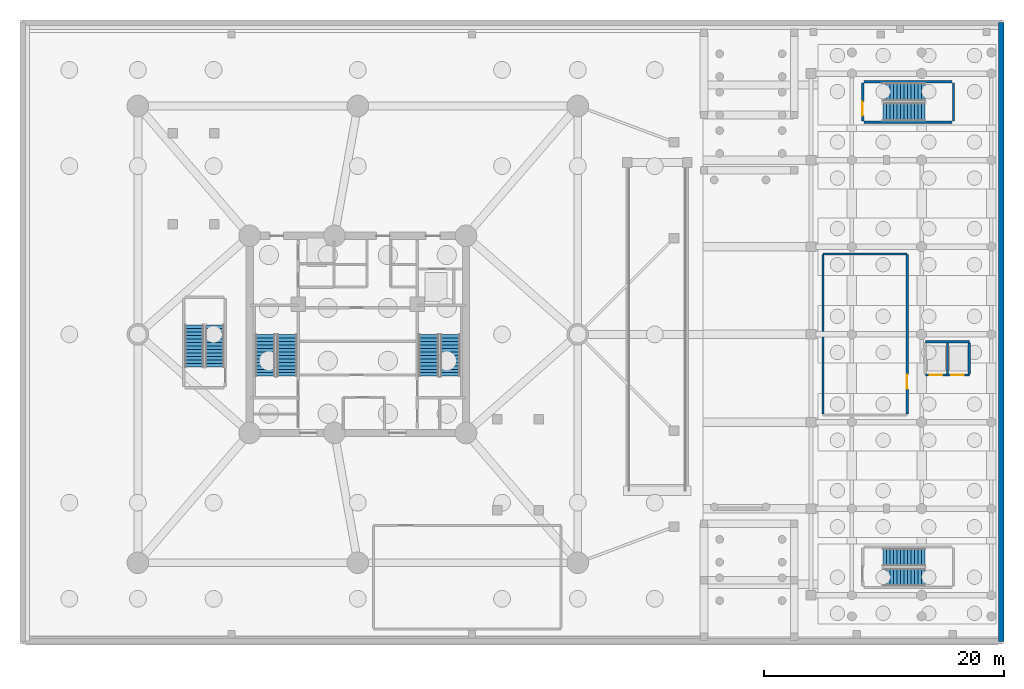
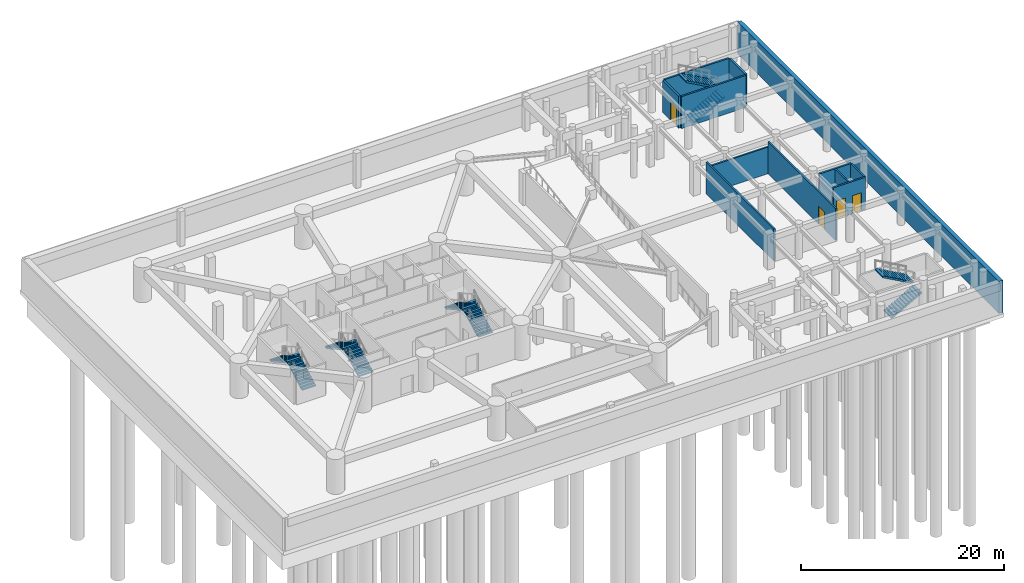
# One storey, part 8 of 13: 12 walls, 10 stair flights, 4 doors, 4 openings, 5 elements without a shape of their own.
"""IFC4 building model written with IfcOpenShell, lengths in metres."""

from ifc_helpers import new_model, si_unit, direction, frame, frame_2d, origin, origin_with_axes, place, context, subcontext, project, spatial, polyline, rectangle, outline, extrude, source, transform, mapped, material, layer, layer_set, type_object, element, fill, aggregate, save


model = new_model("IFC4")

# Units and contexts
model_context = context("Model", 3, precision=1e-05, world=origin(), true_north=direction((0.0, 1.0)))
body_context = subcontext(model_context, "Body", "Model", "MODEL_VIEW")
ifc_project = project(units=[si_unit("LENGTHUNIT", "METRE"), si_unit("AREAUNIT", "SQUARE_METRE"), si_unit("VOLUMEUNIT", "CUBIC_METRE"), si_unit("PLANEANGLEUNIT", "RADIAN"), si_unit("MASSUNIT", "GRAM", prefix="KILO")], contexts=[model_context])

# Site, building, storey
site_placement = place(None, origin())
site = spatial("IfcSite", under=ifc_project, at=site_placement, CompositionType="ELEMENT")
building_placement = place(site_placement, origin())
building = spatial("IfcBuilding", under=site, at=building_placement, Name="Karkom Vertical University and Central Library", CompositionType="ELEMENT")
storey_placement = place(building_placement, frame((0.0, 0.0, -8.39990234375)))
storey = spatial("IfcBuildingStorey", under=building, at=storey_placement, Name="B02", CompositionType="ELEMENT", Elevation=-8.39990234375)

# Walls
ifc_material_1 = material(Name="Metal-stud gypsum partition 140mm", Category="gypsum")
ifc_layer_1 = layer(ifc_material_1, 0.139892578125)
ifc_layer_set_1 = layer_set([ifc_layer_1], Name="Metal-stud gypsum partition 140mm")
wall_type_1 = type_object("IfcWallType", Name="INT-WL-SUB-140H", PredefinedType="PARTITIONING", material=ifc_layer_set_1)
wall_1_placement = place(storey_placement, frame((77.550048828125, 23.219970703125, 0.0), z_axis=(0.0, 0.0, 1.0), x_axis=(0.0, 1.0, 0.0)))
element("IfcWall", 1, at=wall_1_placement, inside=storey, type_object=wall_type_1, Name="Basement 02 Interior Partition Wall B02-W-LL-M", PredefinedType="PARTITIONING", context=body_context, shape_type="SweptSolid", body=[
    extrude(rectangle(XDim=2.56005859375, YDim=0.139892578125, at=frame_2d((1.280029296875, 0.0))), origin(), (0.0, 0.0, 1.0), 3.849853515625),
])
ifc_material_2 = material(Name="Twin-stud acoustic drywall 180mm", Category="gypsum")
ifc_layer_2 = layer(ifc_material_2, 0.179931640625)
ifc_layer_set_2 = layer_set([ifc_layer_2], Name="Twin-stud acoustic drywall 180mm")
wall_type_2 = type_object("IfcWallType", Name="INT-WL-TEN-180F", PredefinedType="PARTITIONING", material=ifc_layer_set_2)
wall_2_placement = place(storey_placement, frame((67.199951171875, 19.860107421875, 0.0), z_axis=(0.0, 0.0, 1.0), x_axis=(0.0, 1.0, 0.0)))
element("IfcWall", 2, at=wall_2_placement, inside=storey, type_object=wall_type_2, Name="Basement 02 Interior Partition Wall B02-PW-ARCL-W", PredefinedType="PARTITIONING", context=body_context, shape_type="SweptSolid", body=[
    extrude(rectangle(XDim=13.27978515625, YDim=0.179931640625, at=frame_2d((6.639892578125, 0.0))), origin(), (0.0, 0.0, 1.0), 3.849853515625),
])

# Wall, opening, door
wall_3_placement = place(storey_placement, frame((74.199951171875, 19.860107421875, 0.0), z_axis=(0.0, 0.0, 1.0), x_axis=(0.0, 1.0, 0.0)))
wall_3 = element("IfcWall", 3, at=wall_3_placement, inside=storey, type_object=wall_type_2, Name="Basement 02 Interior Partition Wall B02-PW-ARCL-E", PredefinedType="PARTITIONING", context=body_context, shape_type="SweptSolid", body=[
    extrude(rectangle(XDim=13.27978515625, YDim=0.179931640625, at=frame_2d((6.639892578125, 0.0))), origin(), (0.0, 0.0, 1.0), 3.849853515625),
])
opening_1_placement = place(wall_3_placement, frame((2.10009765625, 0.0, 0.0)))
opening_1 = element("IfcOpeningElement", 4, at=opening_1_placement, cuts=wall_3, Name="Opening FD-SUB1", PredefinedType="OPENING", context=body_context, shape_type="SweptSolid", body=[
    extrude(rectangle(XDim=1.199951171875, YDim=2.14990234375, at=frame_2d((0.60009765625, 1.074951171875))), frame((0.0, 0.10009765625, 0.0), z_axis=(0.0, -1.0, 0.0), x_axis=(1.0, 0.0, 0.0)), (0.0, 0.0, 1.0), 0.199951171875),
])
ifc_material_3 = material(Name="Painted steel fire door", Category="steel")
door_type_1 = type_object("IfcDoorType", Name="INT-DR-SUB1", OperationType="NOTDEFINED", PredefinedType="DOOR", material=ifc_material_3)
shared_shape_1 = source(origin_with_axes(), body_context, "Body", "SweptSolid", [
    extrude(rectangle(XDim=1.199951171875, YDim=2.14990234375, at=frame_2d((0.60009765625, 1.074951171875))), frame((0.0, 0.02490234375, 0.0), z_axis=(0.0, -1.0, 0.0), x_axis=(1.0, 0.0, 0.0)), (0.0, 0.0, 1.0), 0.050048828125),
])
door_1_placement = place(opening_1_placement, origin())
door_1 = element("IfcDoor", 5, at=door_1_placement, inside=storey, type_object=door_type_1, Name="Basement 02 Compact Mobile Library Archive Vault Door", OperationType="SINGLE_SWING_LEFT", OverallHeight=2.14990234375, OverallWidth=1.199951171875, PredefinedType="DOOR", context=body_context, shape_type="MappedRepresentation", body=[
    mapped(shared_shape_1, transform((0.0, 0.0, 0.0), scale=1.0)),
])
fill(opening_1, door_1)

# Walls
wall_4_placement = place(storey_placement, frame((67.199951171875, 33.199951171875, 0.0), z_axis=(0.0, 0.0, 1.0), x_axis=(1.0, 0.0, 0.0)))
element("IfcWall", 6, at=wall_4_placement, inside=storey, type_object=wall_type_2, Name="Basement 02 Interior Partition Wall B02-PW-ARCL-N", PredefinedType="PARTITIONING", context=body_context, shape_type="SweptSolid", body=[
    extrude(rectangle(XDim=7.0, YDim=0.179931640625, at=frame_2d((3.5, 0.0))), origin(), (0.0, 0.0, 1.0), 3.199951171875),
])
ifc_material_4 = material(Name="Concrete C50/60", Category="concrete")
ifc_layer_3 = layer(ifc_material_4, 0.449951171875)
ifc_layer_set_3 = layer_set([ifc_layer_3], Name="Concrete C50/60")
wall_type_3 = type_object("IfcWallType", Name="STR-WL-RW-450", PredefinedType="USERDEFINED", material=ifc_layer_set_3)
wall_5_placement = place(storey_placement, frame((82.030029296875, 0.969970703125, 0.0), z_axis=(0.0, 0.0, 1.0), x_axis=(0.0, 1.0, 0.0)))
element("IfcWall", 7, at=wall_5_placement, inside=storey, type_object=wall_type_3, Name="Basement 02 Perimeter Retaining Wall 2", ObjectType="RETAINING WALL", PredefinedType="USERDEFINED", context=body_context, shape_type="SweptSolid", body=[
    extrude(rectangle(XDim=51.4599609375, YDim=0.449951171875, at=frame_2d((25.72998046875, 0.0))), origin(), (0.0, 0.0, 1.0), 3.849853515625),
])
ifc_material_5 = material(Name="Concrete C45/55", Category="concrete")
ifc_layer_4 = layer(ifc_material_5, 0.199951171875)
ifc_layer_set_4 = layer_set([ifc_layer_4], Name="Concrete C45/55")
wall_type_4 = type_object("IfcWallType", Name="STR-WL-ST-200", PredefinedType="SHEAR", material=ifc_layer_set_4)
for number, where, z_axis, x_axis, name in (
    (8, (70.60009765625, 44.14501953125, 0.0), (0.0, 0.0, 1.0), (1.0, 0.0, 0.0), "Basement 02 Core Shaft Wall B02-W-LST2-S"),
    (9, (70.60009765625, 47.514892578125, 0.0), (0.0, 0.0, 1.0), (1.0, 0.0, 0.0), "Basement 02 Core Shaft Wall B02-W-LST2-N"),
):
    element("IfcWall", number, at=place(storey_placement, frame(where, z_axis=z_axis, x_axis=x_axis)), inside=storey, type_object=wall_type_4, Name=name, PredefinedType="SHEAR", context=body_context, shape_type="SweptSolid", body=[
        extrude(rectangle(XDim=7.349853515625, YDim=0.199951171875, at=frame_2d((3.6748046875, 0.0))), origin(), (0.0, 0.0, 1.0), 3.849853515625),
    ])

# Wall, openings, doors
wall_6_placement = place(storey_placement, frame((75.719970703125, 23.1201171875, 0.0), z_axis=(0.0, 0.0, 1.0), x_axis=(1.0, 0.0, 0.0)))
wall_6 = element("IfcWall", 10, at=wall_6_placement, inside=storey, type_object=wall_type_4, Name="Basement 02 Core Shaft Wall B02-W-LL-S", PredefinedType="SHEAR", context=body_context, shape_type="SweptSolid", body=[
    extrude(rectangle(XDim=3.659912109375, YDim=0.199951171875, at=frame_2d((1.830078125, 0.0))), origin(), (0.0, 0.0, 1.0), 3.849853515625),
])
opening_2_placement = place(wall_6_placement, frame((0.35009765625, 0.0, 0.0)))
opening_2 = element("IfcOpeningElement", 11, at=opening_2_placement, cuts=wall_6, Name="Opening LD-LIB", PredefinedType="OPENING", context=body_context, shape_type="SweptSolid", body=[
    extrude(rectangle(XDim=1.050048828125, YDim=2.14990234375, at=frame_2d((0.52490234375, 1.074951171875))), frame((0.0, 0.10986328125, 0.0), z_axis=(0.0, -1.0, 0.0), x_axis=(1.0, 0.0, 0.0)), (0.0, 0.0, 1.0), 0.219970703125),
])
opening_3_placement = place(wall_6_placement, frame((2.14990234375, 0.0, 0.0)))
opening_3 = element("IfcOpeningElement", 12, at=opening_3_placement, cuts=wall_6, Name="Opening LD-LIB", PredefinedType="OPENING", context=body_context, shape_type="SweptSolid", body=[
    extrude(rectangle(XDim=1.050048828125, YDim=2.14990234375, at=frame_2d((0.52490234375, 1.074951171875))), frame((0.0, 0.10986328125, 0.0), z_axis=(0.0, -1.0, 0.0), x_axis=(1.0, 0.0, 0.0)), (0.0, 0.0, 1.0), 0.219970703125),
])
ifc_material_6 = material(Name="Bronze-anodised lift landing door", Category="metal")
door_type_2 = type_object("IfcDoorType", Name="INT-DR-LD-LIB", OperationType="SLIDING_TO_LEFT", PredefinedType="DOOR", material=ifc_material_6)
shared_shape_2 = source(origin_with_axes(), body_context, "Body", "SweptSolid", [
    extrude(rectangle(XDim=1.050048828125, YDim=2.14990234375, at=frame_2d((0.52490234375, 1.074951171875))), frame((0.0, 0.02490234375, 0.0), z_axis=(0.0, -1.0, 0.0), x_axis=(1.0, 0.0, 0.0)), (0.0, 0.0, 1.0), 0.050048828125),
])
door_2_placement = place(opening_2_placement, origin())
door_2 = element("IfcDoor", 13, at=door_2_placement, inside=storey, type_object=door_type_2, Name="Basement 02 Library Lift LIB-L1 Landing Door", OperationType="SLIDING_TO_LEFT", OverallHeight=2.14990234375, OverallWidth=1.050048828125, PredefinedType="DOOR", context=body_context, shape_type="MappedRepresentation", body=[
    mapped(shared_shape_2, transform((0.0, 0.0, 0.0), scale=1.0)),
])
fill(opening_2, door_2)
door_3_placement = place(opening_3_placement, origin())
door_3 = element("IfcDoor", 14, at=door_3_placement, inside=storey, type_object=door_type_2, Name="Basement 02 Library Lift LIB-L2 Landing Door", OperationType="SLIDING_TO_RIGHT", OverallHeight=2.14990234375, OverallWidth=1.050048828125, PredefinedType="DOOR", context=body_context, shape_type="MappedRepresentation", body=[
    mapped(shared_shape_2, transform((0.0, 0.0, 0.0), scale=1.0)),
])
fill(opening_3, door_3)

# Wall
wall_7_placement = place(storey_placement, frame((75.719970703125, 25.8798828125, 0.0), z_axis=(0.0, 0.0, 1.0), x_axis=(1.0, 0.0, 0.0)))
element("IfcWall", 15, at=wall_7_placement, inside=storey, type_object=wall_type_4, Name="Basement 02 Core Shaft Wall B02-W-LL-N", PredefinedType="SHEAR", context=body_context, shape_type="SweptSolid", body=[
    extrude(rectangle(XDim=3.659912109375, YDim=0.199951171875, at=frame_2d((1.830078125, 0.0))), origin(), (0.0, 0.0, 1.0), 3.849853515625),
])

# Wall, opening, door
wall_8_placement = place(storey_placement, frame((70.4951171875, 44.25, 0.0), z_axis=(0.0, 0.0, 1.0), x_axis=(0.0, 1.0, 0.0)))
wall_8 = element("IfcWall", 16, at=wall_8_placement, inside=storey, type_object=wall_type_4, Name="Basement 02 Core Shaft Wall B02-W-LST2-W", PredefinedType="SHEAR", context=body_context, shape_type="SweptSolid", body=[
    extrude(rectangle(XDim=3.159912109375, YDim=0.199951171875, at=frame_2d((1.580078125, 0.0))), origin(), (0.0, 0.0, 1.0), 3.849853515625),
])
opening_4_placement = place(wall_8_placement, frame((0.449951171875, 0.0, 0.0)))
opening_4 = element("IfcOpeningElement", 17, at=opening_4_placement, cuts=wall_8, Name="Opening FD-ST1", PredefinedType="OPENING", context=body_context, shape_type="SweptSolid", body=[
    extrude(rectangle(XDim=1.14990234375, YDim=2.14990234375, at=frame_2d((0.574951171875, 1.074951171875))), frame((0.0, 0.10986328125, 0.0), z_axis=(0.0, -1.0, 0.0), x_axis=(1.0, 0.0, 0.0)), (0.0, 0.0, 1.0), 0.219970703125),
])
ifc_material_7 = material(Name="Painted steel acoustic fire door", Category="steel")
door_type_3 = type_object("IfcDoorType", Name="INT-DR-ST1", OperationType="NOTDEFINED", PredefinedType="DOOR", material=ifc_material_7)
shared_shape_3 = source(origin_with_axes(), body_context, "Body", "SweptSolid", [
    extrude(rectangle(XDim=1.14990234375, YDim=2.14990234375, at=frame_2d((0.574951171875, 1.074951171875))), frame((0.0, 0.02490234375, 0.0), z_axis=(0.0, -1.0, 0.0), x_axis=(1.0, 0.0, 0.0)), (0.0, 0.0, 1.0), 0.050048828125),
])
door_4_placement = place(opening_4_placement, origin())
door_4 = element("IfcDoor", 18, at=door_4_placement, inside=storey, type_object=door_type_3, Name="Basement 02 Library Stair LST2 Door", OperationType="SINGLE_SWING_LEFT", OverallHeight=2.14990234375, OverallWidth=1.14990234375, PredefinedType="DOOR", context=body_context, shape_type="MappedRepresentation", body=[
    mapped(shared_shape_3, transform((0.0, 0.0, 0.0), scale=1.0)),
])
fill(opening_4, door_4)

# Walls
wall_9_placement = place(storey_placement, frame((78.054931640625, 44.25, 0.0), z_axis=(0.0, 0.0, 1.0), x_axis=(0.0, 1.0, 0.0)))
element("IfcWall", 19, at=wall_9_placement, inside=storey, type_object=wall_type_4, Name="Basement 02 Core Shaft Wall B02-W-LST2-E", PredefinedType="SHEAR", context=body_context, shape_type="SweptSolid", body=[
    extrude(rectangle(XDim=3.159912109375, YDim=0.199951171875, at=frame_2d((1.580078125, 0.0))), origin(), (0.0, 0.0, 1.0), 3.849853515625),
])
wall_10_placement = place(storey_placement, frame((79.3798828125, 23.219970703125, 0.0), z_axis=(0.0, 0.0, 1.0), x_axis=(0.0, 1.0, 0.0)))
element("IfcWall", 20, at=wall_10_placement, inside=storey, type_object=wall_type_4, Name="Basement 02 Core Shaft Wall B02-W-LL-E", PredefinedType="SHEAR", context=body_context, shape_type="SweptSolid", body=[
    extrude(rectangle(XDim=2.56005859375, YDim=0.199951171875, at=frame_2d((1.280029296875, 0.0))), origin(), (0.0, 0.0, 1.0), 3.849853515625),
])

# Stair, stair flights
stair_type_1 = type_object("IfcStairType", Name="INT-STR-ST-LIB", PredefinedType="HALF_TURN_STAIR", material=ifc_material_5)
stair_1_placement = place(storey_placement, origin())
stair_1 = element("IfcStair", 21, at=stair_1_placement, inside=storey, type_object=stair_type_1, Name="Basement 02 Central Library South Exit Stair LIB-ST1", PredefinedType="HALF_TURN_STAIR")
stair_flight_type_1 = type_object("IfcStairFlightType", Name="INT-SFL-ST-LIB", PredefinedType="STRAIGHT", material=ifc_material_5)
stair_flight_1_placement = place(storey_placement, frame((72.199951171875, 6.300048828125, 0.0), z_axis=(0.0, 0.0, 1.0), x_axis=(1.0, 0.0, 0.0)))
stair_flight_1 = element("IfcStairFlight", 22, at=stair_flight_1_placement, type_object=stair_flight_type_1, Name="LIB-ST1 flight 1", NumberOfRisers=13, NumberOfTreads=12, PredefinedType="STRAIGHT", RiserHeight=0.161538462, TreadLength=0.29, context=body_context, shape_type="SweptSolid", body=[
    extrude(outline(polyline([(0.0, 0.0), (0.0, 0.16162109375), (0.2900390625, 0.16162109375), (0.2900390625, 0.322998046875), (0.580078125, 0.322998046875), (0.580078125, 0.484619140625), (0.8701171875, 0.484619140625), (0.8701171875, 0.646240234375), (1.159912109375, 0.646240234375), (1.159912109375, 0.8076171875), (1.449951171875, 0.8076171875), (1.449951171875, 0.96923828125), (1.739990234375, 0.96923828125), (1.739990234375, 1.130859375), (2.030029296875, 1.130859375), (2.030029296875, 1.292236328125), (2.320068359375, 1.292236328125), (2.320068359375, 1.453857421875), (2.610107421875, 1.453857421875), (2.610107421875, 1.615478515625), (2.89990234375, 1.615478515625), (2.89990234375, 1.77685546875), (3.18994140625, 1.77685546875), (3.18994140625, 1.9384765625), (3.47998046875, 1.9384765625), (3.47998046875, 2.10009765625), (3.47998046875, 1.766845703125), (0.30810546875, 0.0), (0.0, 0.0)])), frame((0.0, 0.75, 0.0), z_axis=(0.0, -1.0, 0.0), x_axis=(1.0, 0.0, 0.0)), (0.0, 0.0, 1.0), 1.5),
])
stair_flight_2_placement = place(storey_placement, frame((75.679931640625, 7.9599609375, 2.099853515625), z_axis=(0.0, 0.0, 1.0), x_axis=(-1.0, 0.0, 0.0)))
stair_flight_2 = element("IfcStairFlight", 23, at=stair_flight_2_placement, type_object=stair_flight_type_1, Name="LIB-ST1 flight 2", NumberOfRisers=13, NumberOfTreads=12, PredefinedType="STRAIGHT", RiserHeight=0.161538462, TreadLength=0.29, context=body_context, shape_type="SweptSolid", body=[
    extrude(outline(polyline([(0.0, 0.0), (0.0, 0.16162109375), (0.2900390625, 0.16162109375), (0.2900390625, 0.322998046875), (0.580078125, 0.322998046875), (0.580078125, 0.484619140625), (0.8701171875, 0.484619140625), (0.8701171875, 0.646240234375), (1.159912109375, 0.646240234375), (1.159912109375, 0.8076171875), (1.449951171875, 0.8076171875), (1.449951171875, 0.96923828125), (1.739990234375, 0.96923828125), (1.739990234375, 1.130859375), (2.030029296875, 1.130859375), (2.030029296875, 1.292236328125), (2.320068359375, 1.292236328125), (2.320068359375, 1.453857421875), (2.610107421875, 1.453857421875), (2.610107421875, 1.615478515625), (2.89990234375, 1.615478515625), (2.89990234375, 1.77685546875), (3.18994140625, 1.77685546875), (3.18994140625, 1.9384765625), (3.47998046875, 1.9384765625), (3.47998046875, 2.10009765625), (3.47998046875, 1.766845703125), (0.30810546875, 0.0), (0.0, 0.0)])), frame((0.0, 0.75, 0.0), z_axis=(0.0, -1.0, 0.0), x_axis=(1.0, 0.0, 0.0)), (0.0, 0.0, 1.0), 1.5),
])
aggregate(stair_1, [stair_flight_1, stair_flight_2])

stair_2_placement = place(storey_placement, origin())
stair_2 = element("IfcStair", 24, at=stair_2_placement, inside=storey, type_object=stair_type_1, Name="Basement 02 Central Library North Exit Stair LIB-ST2", PredefinedType="HALF_TURN_STAIR")
stair_flight_3_placement = place(storey_placement, frame((72.199951171875, 45.0, 0.0), z_axis=(0.0, 0.0, 1.0), x_axis=(1.0, 0.0, 0.0)))
stair_flight_3 = element("IfcStairFlight", 25, at=stair_flight_3_placement, type_object=stair_flight_type_1, Name="LIB-ST2 flight 1", NumberOfRisers=13, NumberOfTreads=12, PredefinedType="STRAIGHT", RiserHeight=0.161538462, TreadLength=0.29, context=body_context, shape_type="SweptSolid", body=[
    extrude(outline(polyline([(0.0, 0.0), (0.0, 0.16162109375), (0.2900390625, 0.16162109375), (0.2900390625, 0.322998046875), (0.580078125, 0.322998046875), (0.580078125, 0.484619140625), (0.8701171875, 0.484619140625), (0.8701171875, 0.646240234375), (1.159912109375, 0.646240234375), (1.159912109375, 0.8076171875), (1.449951171875, 0.8076171875), (1.449951171875, 0.96923828125), (1.739990234375, 0.96923828125), (1.739990234375, 1.130859375), (2.030029296875, 1.130859375), (2.030029296875, 1.292236328125), (2.320068359375, 1.292236328125), (2.320068359375, 1.453857421875), (2.610107421875, 1.453857421875), (2.610107421875, 1.615478515625), (2.89990234375, 1.615478515625), (2.89990234375, 1.77685546875), (3.18994140625, 1.77685546875), (3.18994140625, 1.9384765625), (3.47998046875, 1.9384765625), (3.47998046875, 2.10009765625), (3.47998046875, 1.766845703125), (0.30810546875, 0.0), (0.0, 0.0)])), frame((0.0, 0.75, 0.0), z_axis=(0.0, -1.0, 0.0), x_axis=(1.0, 0.0, 0.0)), (0.0, 0.0, 1.0), 1.5),
])
stair_flight_4_placement = place(storey_placement, frame((75.679931640625, 46.659912109375, 2.099853515625), z_axis=(0.0, 0.0, 1.0), x_axis=(-1.0, 0.0, 0.0)))
stair_flight_4 = element("IfcStairFlight", 26, at=stair_flight_4_placement, type_object=stair_flight_type_1, Name="LIB-ST2 flight 2", NumberOfRisers=13, NumberOfTreads=12, PredefinedType="STRAIGHT", RiserHeight=0.161538462, TreadLength=0.29, context=body_context, shape_type="SweptSolid", body=[
    extrude(outline(polyline([(0.0, 0.0), (0.0, 0.16162109375), (0.2900390625, 0.16162109375), (0.2900390625, 0.322998046875), (0.580078125, 0.322998046875), (0.580078125, 0.484619140625), (0.8701171875, 0.484619140625), (0.8701171875, 0.646240234375), (1.159912109375, 0.646240234375), (1.159912109375, 0.8076171875), (1.449951171875, 0.8076171875), (1.449951171875, 0.96923828125), (1.739990234375, 0.96923828125), (1.739990234375, 1.130859375), (2.030029296875, 1.130859375), (2.030029296875, 1.292236328125), (2.320068359375, 1.292236328125), (2.320068359375, 1.453857421875), (2.610107421875, 1.453857421875), (2.610107421875, 1.615478515625), (2.89990234375, 1.615478515625), (2.89990234375, 1.77685546875), (3.18994140625, 1.77685546875), (3.18994140625, 1.9384765625), (3.47998046875, 1.9384765625), (3.47998046875, 2.10009765625), (3.47998046875, 1.766845703125), (0.30810546875, 0.0), (0.0, 0.0)])), frame((0.0, 0.75, 0.0), z_axis=(0.0, -1.0, 0.0), x_axis=(1.0, 0.0, 0.0)), (0.0, 0.0, 1.0), 1.5),
])
aggregate(stair_2, [stair_flight_3, stair_flight_4])

stair_type_2 = type_object("IfcStairType", Name="INT-STR-ST-MAIN", PredefinedType="HALF_TURN_STAIR", material=ifc_material_5)
stair_3_placement = place(storey_placement, origin())
stair_3 = element("IfcStair", 27, at=stair_3_placement, inside=storey, type_object=stair_type_2, Name="Basement 02 Tower Protected Exit Stair ST-1", PredefinedType="HALF_TURN_STAIR")
stair_flight_type_2 = type_object("IfcStairFlightType", Name="INT-SFL-ST-MAIN", PredefinedType="STRAIGHT", material=ifc_material_5)
stair_flight_5_placement = place(storey_placement, frame((22.614990234375, 23.02001953125, 0.0), z_axis=(0.0, 0.0, 1.0), x_axis=(0.0, 1.0, 0.0)))
stair_flight_5 = element("IfcStairFlight", 28, at=stair_flight_5_placement, type_object=stair_flight_type_2, Name="ST-1 flight 1", NumberOfRisers=13, NumberOfTreads=12, PredefinedType="STRAIGHT", RiserHeight=0.161538462, TreadLength=0.29, context=body_context, shape_type="SweptSolid", body=[
    extrude(outline(polyline([(0.0, 0.0), (0.0, 0.16162109375), (0.2900390625, 0.16162109375), (0.2900390625, 0.322998046875), (0.580078125, 0.322998046875), (0.580078125, 0.484619140625), (0.8701171875, 0.484619140625), (0.8701171875, 0.646240234375), (1.159912109375, 0.646240234375), (1.159912109375, 0.8076171875), (1.449951171875, 0.8076171875), (1.449951171875, 0.96923828125), (1.739990234375, 0.96923828125), (1.739990234375, 1.130859375), (2.030029296875, 1.130859375), (2.030029296875, 1.292236328125), (2.320068359375, 1.292236328125), (2.320068359375, 1.453857421875), (2.610107421875, 1.453857421875), (2.610107421875, 1.615478515625), (2.89990234375, 1.615478515625), (2.89990234375, 1.77685546875), (3.18994140625, 1.77685546875), (3.18994140625, 1.9384765625), (3.47998046875, 1.9384765625), (3.47998046875, 2.10009765625), (3.47998046875, 1.766845703125), (0.30810546875, 0.0), (0.0, 0.0)])), frame((0.0, 0.824951171875, 0.0), z_axis=(0.0, -1.0, 0.0), x_axis=(1.0, 0.0, 0.0)), (0.0, 0.0, 1.0), 1.64990234375),
])
stair_flight_6_placement = place(storey_placement, frame((20.804931640625, 26.5, 2.099853515625), z_axis=(0.0, 0.0, 1.0), x_axis=(0.0, -1.0, 0.0)))
stair_flight_6 = element("IfcStairFlight", 29, at=stair_flight_6_placement, type_object=stair_flight_type_2, Name="ST-1 flight 2", NumberOfRisers=13, NumberOfTreads=12, PredefinedType="STRAIGHT", RiserHeight=0.161538462, TreadLength=0.29, context=body_context, shape_type="SweptSolid", body=[
    extrude(outline(polyline([(0.0, 0.0), (0.0, 0.16162109375), (0.2900390625, 0.16162109375), (0.2900390625, 0.322998046875), (0.580078125, 0.322998046875), (0.580078125, 0.484619140625), (0.8701171875, 0.484619140625), (0.8701171875, 0.646240234375), (1.159912109375, 0.646240234375), (1.159912109375, 0.8076171875), (1.449951171875, 0.8076171875), (1.449951171875, 0.96923828125), (1.739990234375, 0.96923828125), (1.739990234375, 1.130859375), (2.030029296875, 1.130859375), (2.030029296875, 1.292236328125), (2.320068359375, 1.292236328125), (2.320068359375, 1.453857421875), (2.610107421875, 1.453857421875), (2.610107421875, 1.615478515625), (2.89990234375, 1.615478515625), (2.89990234375, 1.77685546875), (3.18994140625, 1.77685546875), (3.18994140625, 1.9384765625), (3.47998046875, 1.9384765625), (3.47998046875, 2.10009765625), (3.47998046875, 1.766845703125), (0.30810546875, 0.0), (0.0, 0.0)])), frame((0.0, 0.824951171875, 0.0), z_axis=(0.0, -1.0, 0.0), x_axis=(1.0, 0.0, 0.0)), (0.0, 0.0, 1.0), 1.64990234375),
])
aggregate(stair_3, [stair_flight_5, stair_flight_6])

stair_4_placement = place(storey_placement, origin())
stair_4 = element("IfcStair", 30, at=stair_4_placement, inside=storey, type_object=stair_type_2, Name="Basement 02 Tower Protected Exit Stair ST-2", PredefinedType="HALF_TURN_STAIR")
stair_flight_7_placement = place(storey_placement, frame((36.195068359375, 23.02001953125, 0.0), z_axis=(0.0, 0.0, 1.0), x_axis=(0.0, 1.0, 0.0)))
stair_flight_7 = element("IfcStairFlight", 31, at=stair_flight_7_placement, type_object=stair_flight_type_2, Name="ST-2 flight 1", NumberOfRisers=13, NumberOfTreads=12, PredefinedType="STRAIGHT", RiserHeight=0.161538462, TreadLength=0.29, context=body_context, shape_type="SweptSolid", body=[
    extrude(outline(polyline([(0.0, 0.0), (0.0, 0.16162109375), (0.2900390625, 0.16162109375), (0.2900390625, 0.322998046875), (0.580078125, 0.322998046875), (0.580078125, 0.484619140625), (0.8701171875, 0.484619140625), (0.8701171875, 0.646240234375), (1.159912109375, 0.646240234375), (1.159912109375, 0.8076171875), (1.449951171875, 0.8076171875), (1.449951171875, 0.96923828125), (1.739990234375, 0.96923828125), (1.739990234375, 1.130859375), (2.030029296875, 1.130859375), (2.030029296875, 1.292236328125), (2.320068359375, 1.292236328125), (2.320068359375, 1.453857421875), (2.610107421875, 1.453857421875), (2.610107421875, 1.615478515625), (2.89990234375, 1.615478515625), (2.89990234375, 1.77685546875), (3.18994140625, 1.77685546875), (3.18994140625, 1.9384765625), (3.47998046875, 1.9384765625), (3.47998046875, 2.10009765625), (3.47998046875, 1.766845703125), (0.30810546875, 0.0), (0.0, 0.0)])), frame((0.0, 0.824951171875, 0.0), z_axis=(0.0, -1.0, 0.0), x_axis=(1.0, 0.0, 0.0)), (0.0, 0.0, 1.0), 1.64990234375),
])
stair_flight_8_placement = place(storey_placement, frame((34.385009765625, 26.5, 2.099853515625), z_axis=(0.0, 0.0, 1.0), x_axis=(0.0, -1.0, 0.0)))
stair_flight_8 = element("IfcStairFlight", 32, at=stair_flight_8_placement, type_object=stair_flight_type_2, Name="ST-2 flight 2", NumberOfRisers=13, NumberOfTreads=12, PredefinedType="STRAIGHT", RiserHeight=0.161538462, TreadLength=0.29, context=body_context, shape_type="SweptSolid", body=[
    extrude(outline(polyline([(0.0, 0.0), (0.0, 0.16162109375), (0.2900390625, 0.16162109375), (0.2900390625, 0.322998046875), (0.580078125, 0.322998046875), (0.580078125, 0.484619140625), (0.8701171875, 0.484619140625), (0.8701171875, 0.646240234375), (1.159912109375, 0.646240234375), (1.159912109375, 0.8076171875), (1.449951171875, 0.8076171875), (1.449951171875, 0.96923828125), (1.739990234375, 0.96923828125), (1.739990234375, 1.130859375), (2.030029296875, 1.130859375), (2.030029296875, 1.292236328125), (2.320068359375, 1.292236328125), (2.320068359375, 1.453857421875), (2.610107421875, 1.453857421875), (2.610107421875, 1.615478515625), (2.89990234375, 1.615478515625), (2.89990234375, 1.77685546875), (3.18994140625, 1.77685546875), (3.18994140625, 1.9384765625), (3.47998046875, 1.9384765625), (3.47998046875, 2.10009765625), (3.47998046875, 1.766845703125), (0.30810546875, 0.0), (0.0, 0.0)])), frame((0.0, 0.824951171875, 0.0), z_axis=(0.0, -1.0, 0.0), x_axis=(1.0, 0.0, 0.0)), (0.0, 0.0, 1.0), 1.64990234375),
])
aggregate(stair_4, [stair_flight_7, stair_flight_8])

stair_type_3 = type_object("IfcStairType", Name="INT-STR-ST-SEC", PredefinedType="HALF_TURN_STAIR", material=ifc_material_5)
stair_5_placement = place(storey_placement, origin())
stair_5 = element("IfcStair", 33, at=stair_5_placement, inside=storey, type_object=stair_type_3, Name="Basement 02 Academic Zone Protected Exit Stair ST-3", PredefinedType="HALF_TURN_STAIR")
stair_flight_type_3 = type_object("IfcStairFlightType", Name="INT-SFL-ST-SEC", PredefinedType="STRAIGHT", material=ifc_material_5)
stair_flight_9_placement = place(storey_placement, frame((16.60498046875, 23.800048828125, 0.0), z_axis=(0.0, 0.0, 1.0), x_axis=(0.0, 1.0, 0.0)))
stair_flight_9 = element("IfcStairFlight", 34, at=stair_flight_9_placement, type_object=stair_flight_type_3, Name="ST-3 flight 1", NumberOfRisers=13, NumberOfTreads=12, PredefinedType="STRAIGHT", RiserHeight=0.161538462, TreadLength=0.29, context=body_context, shape_type="SweptSolid", body=[
    extrude(outline(polyline([(0.0, 0.0), (0.0, 0.16162109375), (0.2900390625, 0.16162109375), (0.2900390625, 0.322998046875), (0.580078125, 0.322998046875), (0.580078125, 0.484619140625), (0.8701171875, 0.484619140625), (0.8701171875, 0.646240234375), (1.159912109375, 0.646240234375), (1.159912109375, 0.8076171875), (1.449951171875, 0.8076171875), (1.449951171875, 0.96923828125), (1.739990234375, 0.96923828125), (1.739990234375, 1.130859375), (2.030029296875, 1.130859375), (2.030029296875, 1.292236328125), (2.320068359375, 1.292236328125), (2.320068359375, 1.453857421875), (2.610107421875, 1.453857421875), (2.610107421875, 1.615478515625), (2.89990234375, 1.615478515625), (2.89990234375, 1.77685546875), (3.18994140625, 1.77685546875), (3.18994140625, 1.9384765625), (3.47998046875, 1.9384765625), (3.47998046875, 2.10009765625), (3.47998046875, 1.766845703125), (0.30810546875, 0.0), (0.0, 0.0)])), frame((0.0, 0.77490234375, 0.0), z_axis=(0.0, -1.0, 0.0), x_axis=(1.0, 0.0, 0.0)), (0.0, 0.0, 1.0), 1.550048828125),
])
stair_flight_10_placement = place(storey_placement, frame((14.89501953125, 27.280029296875, 2.099853515625), z_axis=(0.0, 0.0, 1.0), x_axis=(0.0, -1.0, 0.0)))
stair_flight_10 = element("IfcStairFlight", 35, at=stair_flight_10_placement, type_object=stair_flight_type_3, Name="ST-3 flight 2", NumberOfRisers=13, NumberOfTreads=12, PredefinedType="STRAIGHT", RiserHeight=0.161538462, TreadLength=0.29, context=body_context, shape_type="SweptSolid", body=[
    extrude(outline(polyline([(0.0, 0.0), (0.0, 0.16162109375), (0.2900390625, 0.16162109375), (0.2900390625, 0.322998046875), (0.580078125, 0.322998046875), (0.580078125, 0.484619140625), (0.8701171875, 0.484619140625), (0.8701171875, 0.646240234375), (1.159912109375, 0.646240234375), (1.159912109375, 0.8076171875), (1.449951171875, 0.8076171875), (1.449951171875, 0.96923828125), (1.739990234375, 0.96923828125), (1.739990234375, 1.130859375), (2.030029296875, 1.130859375), (2.030029296875, 1.292236328125), (2.320068359375, 1.292236328125), (2.320068359375, 1.453857421875), (2.610107421875, 1.453857421875), (2.610107421875, 1.615478515625), (2.89990234375, 1.615478515625), (2.89990234375, 1.77685546875), (3.18994140625, 1.77685546875), (3.18994140625, 1.9384765625), (3.47998046875, 1.9384765625), (3.47998046875, 2.10009765625), (3.47998046875, 1.766845703125), (0.30810546875, 0.0), (0.0, 0.0)])), frame((0.0, 0.77490234375, 0.0), z_axis=(0.0, -1.0, 0.0), x_axis=(1.0, 0.0, 0.0)), (0.0, 0.0, 1.0), 1.550048828125),
])
aggregate(stair_5, [stair_flight_9, stair_flight_10])

save(model, "model.ifc")
